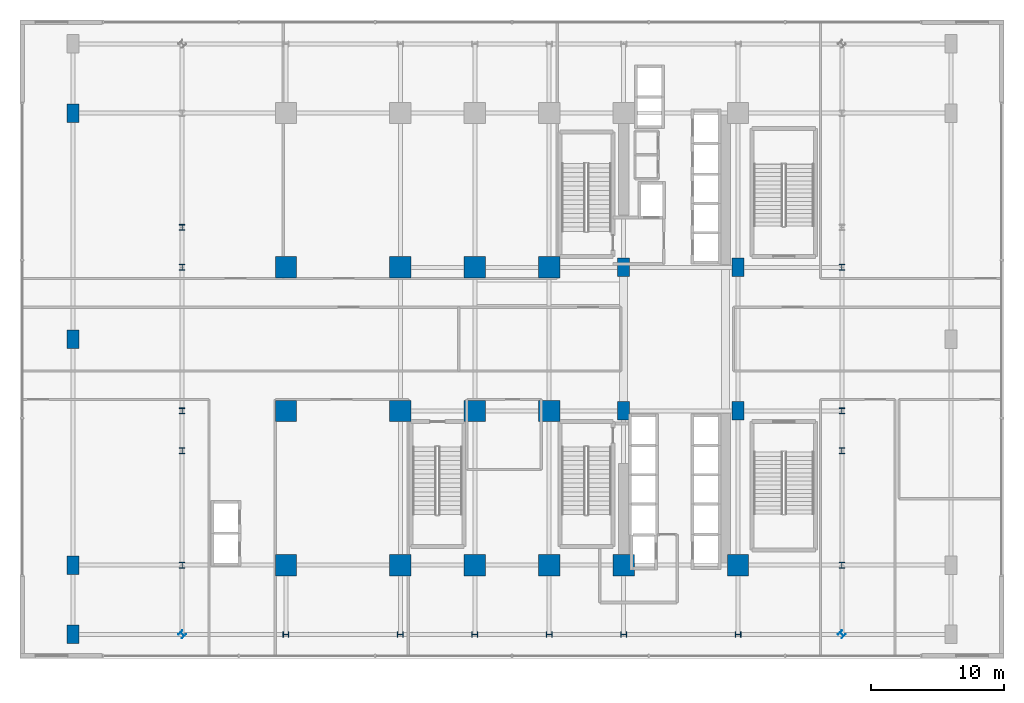
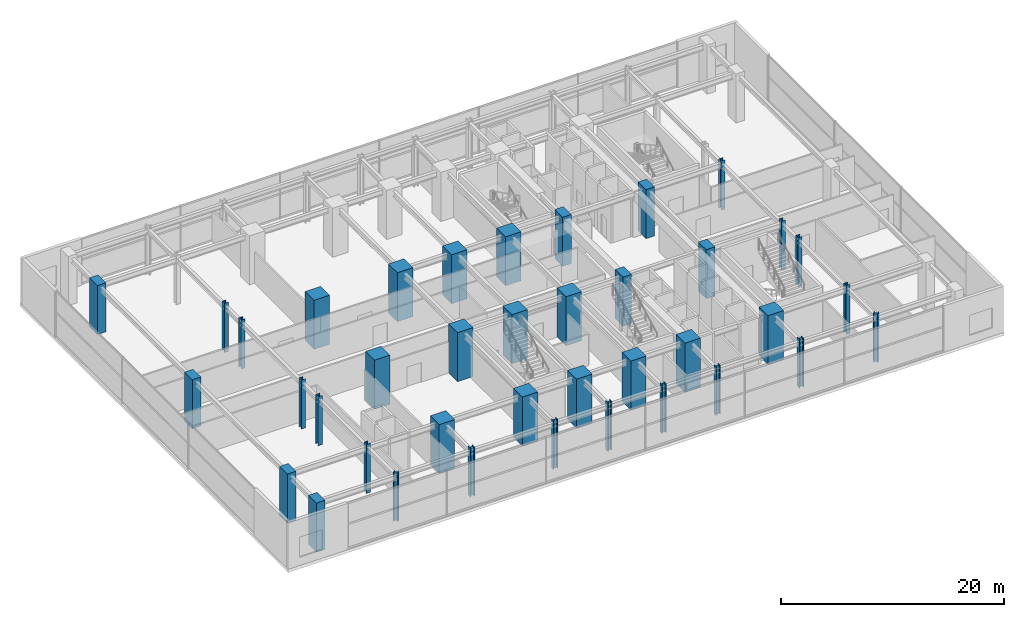
# One storey, part 1 of 32: 39 columns.
"""IFC4 building model written with IfcOpenShell, lengths in metres."""

from ifc_helpers import new_model, si_unit, direction, frame, origin, origin_2d, place, context, subcontext, project, spatial, rectangle, i_section, extrude, source, transform, mapped, material, material_profile, profile_set, type_object, element, save


model = new_model("IFC4")

# Units and contexts
model_context = context("Model", 3, precision=1e-05, world=origin(), true_north=direction((0.0, 1.0)))
body_context = subcontext(model_context, "Body", "Model", "MODEL_VIEW")
ifc_project = project(units=[si_unit("LENGTHUNIT", "METRE"), si_unit("AREAUNIT", "SQUARE_METRE"), si_unit("VOLUMEUNIT", "CUBIC_METRE"), si_unit("PLANEANGLEUNIT", "RADIAN"), si_unit("MASSUNIT", "GRAM", prefix="KILO")], contexts=[model_context])

# Site, building, storey
site_placement = place(None, origin())
site = spatial("IfcSite", under=ifc_project, at=site_placement, CompositionType="ELEMENT")
building_placement = place(site_placement, origin())
building = spatial("IfcBuilding", under=site, at=building_placement, Name="Nahalor Promenade Grand Hotel", CompositionType="ELEMENT")
storey_placement = place(building_placement, frame((0.0, 0.0, 10.800048828125)))
storey = spatial("IfcBuildingStorey", under=building, at=storey_placement, Name="L02", CompositionType="ELEMENT", Elevation=10.800048828125)

# Columns
ifc_material_1 = material(Name="Concrete B-70 (C60/75)", Category="concrete")
ifc_material_profile_1 = material_profile(ifc_material_1, rectangle(XDim=1.6, YDim=1.6, at=origin_2d()), Name="RC 1600x1600")
ifc_profile_set_1 = profile_set([ifc_material_profile_1], Name="Concrete B-70 (C60/75)")
column_type_1 = type_object("IfcColumnType", Name="Col-RC-1600", PredefinedType="COLUMN", material=ifc_profile_set_1)
shared_shape_1 = source(origin(), body_context, "Body", "SweptSolid", [
    extrude(rectangle(XDim=1.6, YDim=1.6, at=origin_2d()), origin(), (0.0, 0.0, 1.0), 5.35498046875),
])
for number, where, z_axis, x_axis, name in (
    (1, (-17.0, -17.0, 0.0), (0.0, 0.0, 1.0), (1.0, 0.0, 0.0), "COL-L02-I00"),
    (2, (-17.0, -5.39990234375, 0.0), (0.0, 0.0, 1.0), (1.0, 0.0, 0.0), "COL-L02-I01"),
    (3, (-17.0, 5.39990234375, 0.0), (0.0, 0.0, 1.0), (1.0, 0.0, 0.0), "COL-L02-I02"),
    (4, (-8.39990234375, -17.0, 0.0), (0.0, 0.0, 1.0), (1.0, 0.0, 0.0), "COL-L02-I10"),
    (5, (-8.39990234375, -5.39990234375, 0.0), (0.0, 0.0, 1.0), (1.0, 0.0, 0.0), "COL-L02-I11"),
    (6, (-8.39990234375, 5.39990234375, 0.0), (0.0, 0.0, 1.0), (1.0, 0.0, 0.0), "COL-L02-I12"),
    (7, (-2.800048828125, -17.0, 0.0), (0.0, 0.0, 1.0), (1.0, 0.0, 0.0), "COL-L02-I20"),
    (8, (-2.800048828125, -5.39990234375, 0.0), (0.0, 0.0, 1.0), (1.0, 0.0, 0.0), "COL-L02-I21"),
    (9, (-2.800048828125, 5.39990234375, 0.0), (0.0, 0.0, 1.0), (1.0, 0.0, 0.0), "COL-L02-I22"),
    (10, (2.800048828125, -17.0, 0.0), (0.0, 0.0, 1.0), (1.0, 0.0, 0.0), "COL-L02-I30"),
    (11, (2.800048828125, -5.39990234375, 0.0), (0.0, 0.0, 1.0), (1.0, 0.0, 0.0), "COL-L02-I31"),
    (12, (2.800048828125, 5.39990234375, 0.0), (0.0, 0.0, 1.0), (1.0, 0.0, 0.0), "COL-L02-I32"),
    (13, (8.39990234375, -17.0, 0.0), (0.0, 0.0, 1.0), (1.0, 0.0, 0.0), "COL-L02-I40"),
    (14, (17.0, -17.0, 0.0), (0.0, 0.0, 1.0), (1.0, 0.0, 0.0), "COL-L02-I50"),
):
    element("IfcColumn", number, at=place(storey_placement, frame(where, z_axis=z_axis, x_axis=x_axis)), inside=storey, type_object=column_type_1, Name=name, PredefinedType="COLUMN", context=body_context, shape_type="MappedRepresentation", body=[
        mapped(shared_shape_1, transform((0.0, 0.0, 0.0), scale=1.0)),
    ])
ifc_material_2 = material(Name="Concrete B-60 (C50/60)", Category="concrete")
ifc_material_profile_2 = material_profile(ifc_material_2, rectangle(XDim=0.9, YDim=1.4, at=origin_2d()), Name="RC 900x1400")
ifc_profile_set_2 = profile_set([ifc_material_profile_2], Name="Concrete B-60 (C50/60)")
column_type_2 = type_object("IfcColumnType", Name="Col-Pilaster-1400", PredefinedType="PILASTER", material=ifc_profile_set_2)
shared_shape_2 = source(origin(), body_context, "Body", "SweptSolid", [
    extrude(rectangle(XDim=0.9, YDim=1.4, at=origin_2d()), origin(), (0.0, 0.0, 1.0), 5.35498046875),
])
for number, where, z_axis, x_axis, name in (
    (15, (8.39990234375, -5.39990234375, 0.0), (0.0, 0.0, 1.0), (1.0, 0.0, 0.0), "COL-L02-I41"),
    (16, (8.39990234375, 5.39990234375, 0.0), (0.0, 0.0, 1.0), (1.0, 0.0, 0.0), "COL-L02-I42"),
    (17, (17.0, -5.39990234375, 0.0), (0.0, 0.0, 1.0), (1.0, 0.0, 0.0), "COL-L02-I51"),
    (18, (17.0, 5.39990234375, 0.0), (0.0, 0.0, 1.0), (1.0, 0.0, 0.0), "COL-L02-I52"),
    (19, (-33.0, -22.199951171875, 0.0), (0.0, 0.0, 1.0), (1.0, 0.0, 0.0), "COL-L02-PC-W0"),
    (20, (-33.0, -17.0, 0.0), (0.0, 0.0, 1.0), (1.0, 0.0, 0.0), "COL-L02-PC-W1"),
    (21, (-33.0, 0.0, 0.0), (0.0, 0.0, 1.0), (1.0, 0.0, 0.0), "COL-L02-PC-W2"),
    (22, (-33.0, 17.0, 0.0), (0.0, 0.0, 1.0), (1.0, 0.0, 0.0), "COL-L02-PC-W3"),
):
    element("IfcColumn", number, at=place(storey_placement, frame(where, z_axis=z_axis, x_axis=x_axis)), inside=storey, type_object=column_type_2, Name=name, PredefinedType="PILASTER", context=body_context, shape_type="MappedRepresentation", body=[
        mapped(shared_shape_2, transform((0.0, 0.0, 0.0), scale=1.0)),
    ])
ifc_material_3 = material(Name="Steel S355J2", Category="steel")
ifc_material_profile_3 = material_profile(ifc_material_3, i_section(OverallWidth=0.416, OverallDepth=0.446, WebThickness=0.025, FlangeThickness=0.04, at=origin_2d()), Name="HD 400x509")
ifc_profile_set_3 = profile_set([ifc_material_profile_3], Name="Steel S355J2")
column_type_3 = type_object("IfcColumnType", Name="Col-Steel-HD509", PredefinedType="COLUMN", material=ifc_profile_set_3)
shared_shape_3 = source(origin(), body_context, "Body", "SweptSolid", [
    extrude(i_section(OverallWidth=0.416, OverallDepth=0.446, WebThickness=0.025, FlangeThickness=0.04, at=origin_2d()), origin(), (0.0, 0.0, 1.0), 5.35498046875),
])
for number, where, z_axis, x_axis, name in (
    (23, (-24.800048828125, -17.0, 0.0), (0.0, 0.0, 1.0), (1.0, 0.0, 0.0), "COL-L02-PW-W0"),
    (24, (24.800048828125, -17.0, 0.0), (0.0, 0.0, 1.0), (1.0, 0.0, 0.0), "COL-L02-PW-E0"),
    (25, (-24.800048828125, -8.39990234375, 0.0), (0.0, 0.0, 1.0), (1.0, 0.0, 0.0), "COL-L02-PW-W1"),
    (26, (24.800048828125, -8.39990234375, 0.0), (0.0, 0.0, 1.0), (1.0, 0.0, 0.0), "COL-L02-PW-E1"),
    (27, (-24.800048828125, -5.39990234375, 0.0), (0.0, 0.0, 1.0), (1.0, 0.0, 0.0), "COL-L02-PW-W2"),
    (28, (24.800048828125, -5.39990234375, 0.0), (0.0, 0.0, 1.0), (1.0, 0.0, 0.0), "COL-L02-PW-E2"),
    (29, (-24.800048828125, 5.39990234375, 0.0), (0.0, 0.0, 1.0), (1.0, 0.0, 0.0), "COL-L02-PW-W3"),
    (30, (24.800048828125, 5.39990234375, 0.0), (0.0, 0.0, 1.0), (1.0, 0.0, 0.0), "COL-L02-PW-E3"),
    (31, (-24.800048828125, 8.39990234375, 0.0), (0.0, 0.0, 1.0), (1.0, 0.0, 0.0), "COL-L02-PW-W4"),
    (32, (-17.0, -22.199951171875, 0.0), (0.0, 0.0, 1.0), (0.0, 1.0, 0.0), "COL-L02-PN-S0"),
    (33, (-8.39990234375, -22.199951171875, 0.0), (0.0, 0.0, 1.0), (0.0, 1.0, 0.0), "COL-L02-PN-S1"),
    (34, (-2.800048828125, -22.199951171875, 0.0), (0.0, 0.0, 1.0), (0.0, 1.0, 0.0), "COL-L02-PN-S2"),
    (35, (2.800048828125, -22.199951171875, 0.0), (0.0, 0.0, 1.0), (0.0, 1.0, 0.0), "COL-L02-PN-S3"),
    (36, (8.39990234375, -22.199951171875, 0.0), (0.0, 0.0, 1.0), (0.0, 1.0, 0.0), "COL-L02-PN-S4"),
    (37, (17.0, -22.199951171875, 0.0), (0.0, 0.0, 1.0), (0.0, 1.0, 0.0), "COL-L02-PN-S5"),
    (38, (-24.800048828125, -22.199951171875, 0.0), (0.0, 0.0, 1.0), (0.707106781187, 0.707106781187, 0.0), "COL-L02-CRN-SW"),
    (39, (24.800048828125, -22.199951171875, 0.0), (0.0, 0.0, 1.0), (0.707106781187, 0.707106781187, 0.0), "COL-L02-CRN-SE"),
):
    element("IfcColumn", number, at=place(storey_placement, frame(where, z_axis=z_axis, x_axis=x_axis)), inside=storey, type_object=column_type_3, Name=name, PredefinedType="COLUMN", context=body_context, shape_type="MappedRepresentation", body=[
        mapped(shared_shape_3, transform((0.0, 0.0, 0.0), scale=1.0)),
    ])

save(model, "model.ifc")
